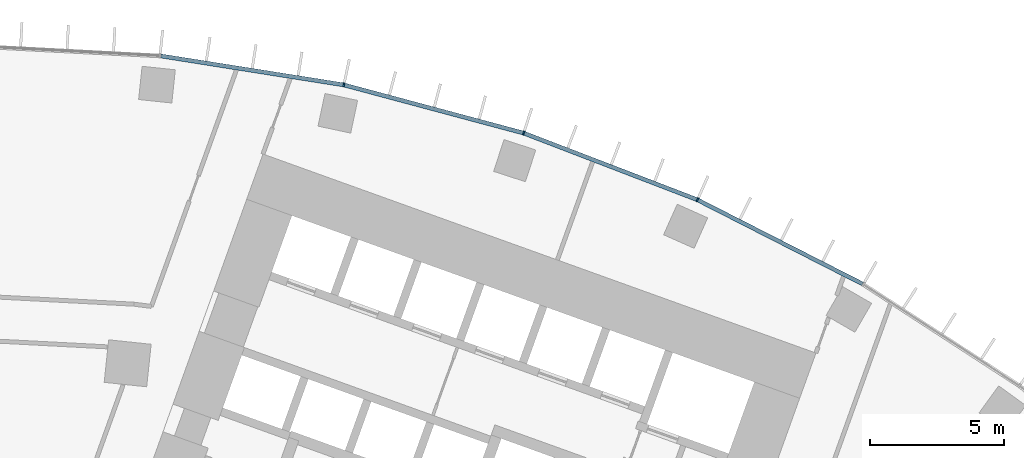
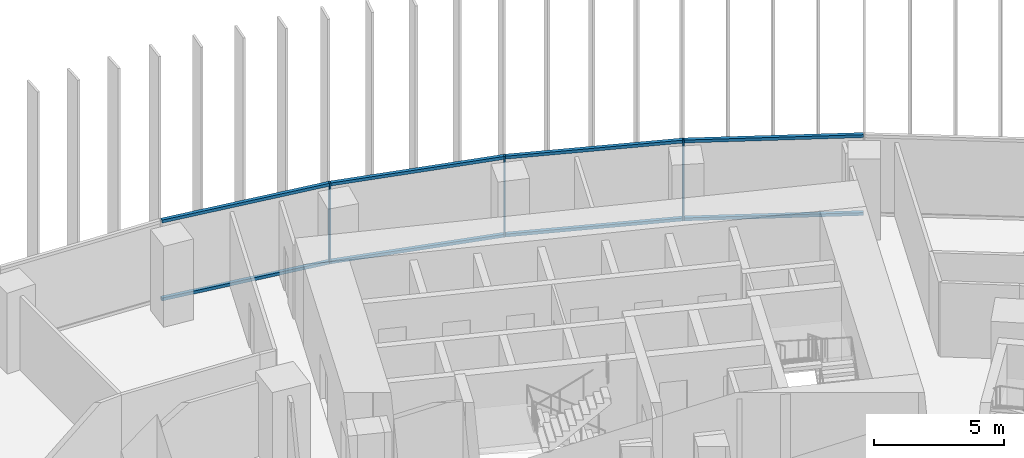
# One storey, part 12 of 24: 11 members, 1 element without a shape of its own.
"""IFC4 building model written with IfcOpenShell, lengths in metres."""

from ifc_helpers import new_model, si_unit, direction, frame, origin, origin_2d, place, context, subcontext, project, spatial, rectangle, extrude, material, layer, layer_set, material_profile, profile_set, type_object, element, aggregate, save


model = new_model("IFC4")

# Units and contexts
model_context = context("Model", 3, precision=1e-05, world=origin(), true_north=direction((0.0, 1.0)))
body_context = subcontext(model_context, "Body", "Model", "MODEL_VIEW")
ifc_project = project(units=[si_unit("LENGTHUNIT", "METRE"), si_unit("AREAUNIT", "SQUARE_METRE"), si_unit("VOLUMEUNIT", "CUBIC_METRE"), si_unit("PLANEANGLEUNIT", "RADIAN"), si_unit("MASSUNIT", "GRAM", prefix="KILO")], contexts=[model_context])

# Site, building, storey
site_placement = place(None, origin())
site = spatial("IfcSite", under=ifc_project, at=site_placement, CompositionType="ELEMENT")
building_placement = place(site_placement, origin())
building = spatial("IfcBuilding", under=site, at=building_placement, Name="Stone Belt Terrace Tower", CompositionType="ELEMENT")
storey_placement = place(building_placement, frame((0.0, 0.0, 64.199951171875)))
storey = spatial("IfcBuildingStorey", under=building, at=storey_placement, Name="L15", CompositionType="ELEMENT", Elevation=64.199951171875)

# Curtain wall, members
ifc_material = material(Name="Aluminium 6063-T6 anodised frame", Category="aluminium")
ifc_layer = layer(ifc_material, 0.14990234375)
ifc_layer_set = layer_set([ifc_layer], Name="CW-A unitised convex-face curtain wall")
curtain_wall_type = type_object("IfcCurtainWallType", Name="CW-A unitised convex-face curtain wall", PredefinedType="NOTDEFINED", material=ifc_layer_set)
curtain_wall_placement = place(storey_placement, origin())
curtain_wall = element("IfcCurtainWall", 1, at=curtain_wall_placement, inside=storey, type_object=curtain_wall_type, Name="CW-A convex face L15", PredefinedType="NOTDEFINED")
ifc_material_profile_1 = material_profile(ifc_material, rectangle(XDim=0.14990234375, YDim=0.06005859375, at=origin_2d()), Name="Aluminium 6063-T6 60x150")
ifc_profile_set_1 = profile_set([ifc_material_profile_1], Name="Aluminium 6063-T6 anodised frame")
member_type_1 = type_object("IfcMemberType", Name="CW-A mullion 60 x 150", PredefinedType="MULLION", material=ifc_profile_set_1)
member_1_placement = place(storey_placement, frame((27.07861328125, 60.8193359375, 0.0), z_axis=(0.0, 0.0, 1.0), x_axis=(-0.406736643076, -0.913545457643, 0.0)))
member_1 = element("IfcMember", 2, at=member_1_placement, type_object=member_type_1, Name="CW-A mullion 5", PredefinedType="MULLION", context=body_context, shape_type="SweptSolid", body=[
    extrude(rectangle(XDim=0.14990234375, YDim=0.06005859375, at=origin_2d()), origin(), (0.0, 0.0, 1.0), 3.800048828125),
])
member_2_placement = place(storey_placement, frame((20.57275390625, 63.316650390625, 0.0), z_axis=(0.0, 0.0, 1.0), x_axis=(-0.309016994375, -0.951056516295, 0.0)))
member_2 = element("IfcMember", 3, at=member_2_placement, type_object=member_type_1, Name="CW-A mullion 6", PredefinedType="MULLION", context=body_context, shape_type="SweptSolid", body=[
    extrude(rectangle(XDim=0.14990234375, YDim=0.06005859375, at=origin_2d()), origin(), (0.0, 0.0, 1.0), 3.800048828125),
])
member_3_placement = place(storey_placement, frame((13.841796875, 65.120361328125, 0.0), z_axis=(0.0, 0.0, 1.0), x_axis=(-0.207911690818, -0.978147600734, 0.0)))
member_3 = element("IfcMember", 4, at=member_3_placement, type_object=member_type_1, Name="CW-A mullion 7", PredefinedType="MULLION", context=body_context, shape_type="SweptSolid", body=[
    extrude(rectangle(XDim=0.14990234375, YDim=0.06005859375, at=origin_2d()), origin(), (0.0, 0.0, 1.0), 3.800048828125),
])
ifc_material_profile_2 = material_profile(ifc_material, rectangle(XDim=0.14990234375, YDim=0.139892578125, at=origin_2d()), Name="Aluminium 6063-T6 150x140")
ifc_profile_set_2 = profile_set([ifc_material_profile_2], Name="Aluminium 6063-T6 anodised frame")
member_type_2 = type_object("IfcMemberType", Name="CW-A transom 140 x 150", PredefinedType="USERDEFINED", material=ifc_profile_set_2)
member_4_placement = place(storey_placement, frame((33.25732421875, 57.671142578125, 0.070068359375), z_axis=(-0.891012226264, 0.453979308613, 0.0), x_axis=(-0.453979308613, -0.891012226264, 0.0)))
member_4 = element("IfcMember", 5, at=member_4_placement, type_object=member_type_2, Name="CW-A transom 4.1", ObjectType="TRANSOM", PredefinedType="USERDEFINED", context=body_context, shape_type="SweptSolid", body=[
    extrude(rectangle(XDim=0.14990234375, YDim=0.139892578125, at=origin_2d()), origin(), (0.0, 0.0, 1.0), 6.90087890625),
])
member_5_placement = place(storey_placement, frame((33.25732421875, 57.671142578125, 3.72998046875), z_axis=(-0.891012226264, 0.453979308613, 0.0), x_axis=(-0.453979308613, -0.891012226264, 0.0)))
member_5 = element("IfcMember", 6, at=member_5_placement, type_object=member_type_2, Name="CW-A transom 4.2", ObjectType="TRANSOM", PredefinedType="USERDEFINED", context=body_context, shape_type="SweptSolid", body=[
    extrude(rectangle(XDim=0.14990234375, YDim=0.139892578125, at=origin_2d()), origin(), (0.0, 0.0, 1.0), 6.90087890625),
])
member_6_placement = place(storey_placement, frame((27.046875, 60.83154296875, 0.070068359375), z_axis=(-0.933585210269, 0.358355487146, 0.0), x_axis=(-0.358355487146, -0.933585210269, 0.0)))
member_6 = element("IfcMember", 7, at=member_6_placement, type_object=member_type_2, Name="CW-A transom 5.1", ObjectType="TRANSOM", PredefinedType="USERDEFINED", context=body_context, shape_type="SweptSolid", body=[
    extrude(rectangle(XDim=0.14990234375, YDim=0.139892578125, at=origin_2d()), origin(), (0.0, 0.0, 1.0), 6.900634765625),
])
member_7_placement = place(storey_placement, frame((27.046875, 60.83154296875, 3.72998046875), z_axis=(-0.933585210269, 0.358355487146, 0.0), x_axis=(-0.358355487146, -0.933585210269, 0.0)))
member_7 = element("IfcMember", 8, at=member_7_placement, type_object=member_type_2, Name="CW-A transom 5.2", ObjectType="TRANSOM", PredefinedType="USERDEFINED", context=body_context, shape_type="SweptSolid", body=[
    extrude(rectangle(XDim=0.14990234375, YDim=0.139892578125, at=origin_2d()), origin(), (0.0, 0.0, 1.0), 6.900634765625),
])
member_8_placement = place(storey_placement, frame((20.5400390625, 63.325439453125, 0.070068359375), z_axis=(-0.965921835863, 0.258833937117, 0.0), x_axis=(-0.258833937117, -0.965921835863, 0.0)))
member_8 = element("IfcMember", 9, at=member_8_placement, type_object=member_type_2, Name="CW-A transom 6.1", ObjectType="TRANSOM", PredefinedType="USERDEFINED", context=body_context, shape_type="SweptSolid", body=[
    extrude(rectangle(XDim=0.14990234375, YDim=0.139892578125, at=origin_2d()), origin(), (0.0, 0.0, 1.0), 6.900634765625),
])
member_9_placement = place(storey_placement, frame((20.5400390625, 63.325439453125, 3.72998046875), z_axis=(-0.965921835863, 0.258833937117, 0.0), x_axis=(-0.258833937117, -0.965921835863, 0.0)))
member_9 = element("IfcMember", 10, at=member_9_placement, type_object=member_type_2, Name="CW-A transom 6.2", ObjectType="TRANSOM", PredefinedType="USERDEFINED", context=body_context, shape_type="SweptSolid", body=[
    extrude(rectangle(XDim=0.14990234375, YDim=0.139892578125, at=origin_2d()), origin(), (0.0, 0.0, 1.0), 6.900634765625),
])
member_10_placement = place(storey_placement, frame((13.808349609375, 65.12548828125, 0.070068359375), z_axis=(-0.987687120531, 0.156442168027, 0.0), x_axis=(-0.156442168027, -0.987687120531, 0.0)))
member_10 = element("IfcMember", 11, at=member_10_placement, type_object=member_type_2, Name="CW-A transom 7.1", ObjectType="TRANSOM", PredefinedType="USERDEFINED", context=body_context, shape_type="SweptSolid", body=[
    extrude(rectangle(XDim=0.14990234375, YDim=0.139892578125, at=origin_2d()), origin(), (0.0, 0.0, 1.0), 6.90087890625),
])
member_11_placement = place(storey_placement, frame((13.808349609375, 65.12548828125, 3.72998046875), z_axis=(-0.987687120531, 0.156442168027, 0.0), x_axis=(-0.156442168027, -0.987687120531, 0.0)))
member_11 = element("IfcMember", 12, at=member_11_placement, type_object=member_type_2, Name="CW-A transom 7.2", ObjectType="TRANSOM", PredefinedType="USERDEFINED", context=body_context, shape_type="SweptSolid", body=[
    extrude(rectangle(XDim=0.14990234375, YDim=0.139892578125, at=origin_2d()), origin(), (0.0, 0.0, 1.0), 6.90087890625),
])
aggregate(curtain_wall, [member_1, member_2, member_3, member_4, member_5, member_6, member_7, member_8, member_9, member_10, member_11])

save(model, "model.ifc")
